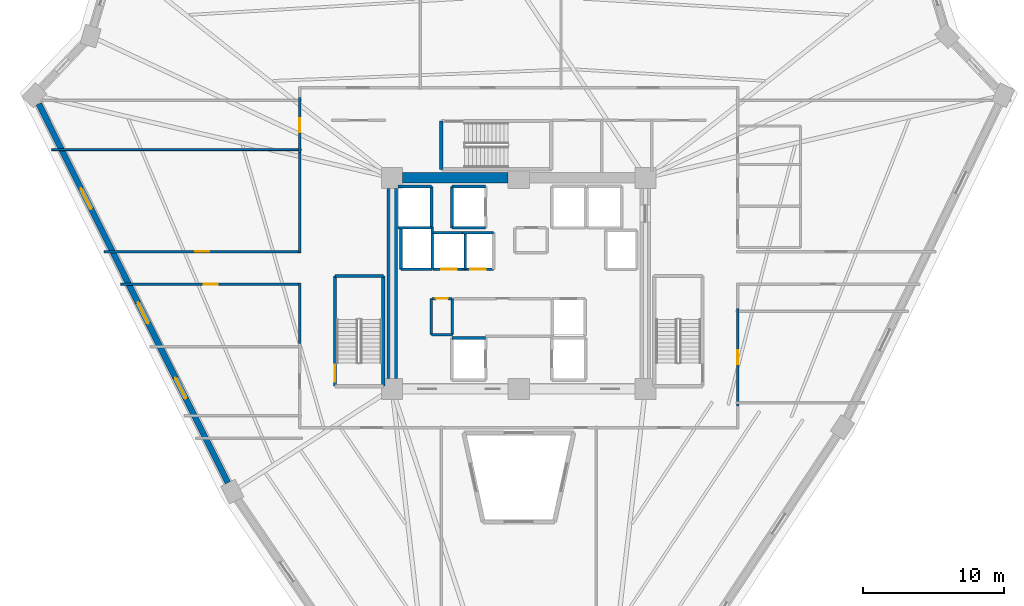
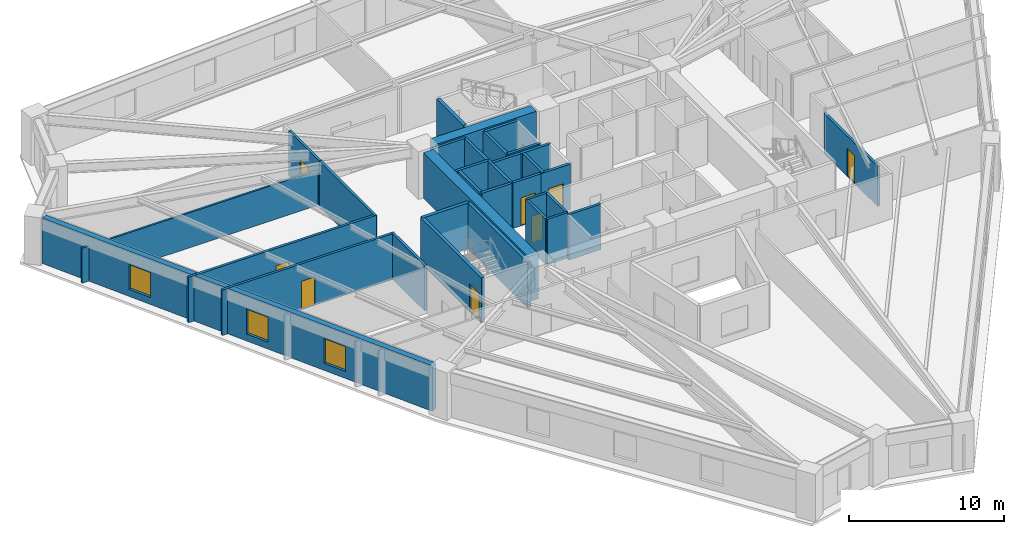
# One storey, part 4 of 8: 33 walls, 8 doors, 3 windows, 11 openings.
"""IFC4 building model written with IfcOpenShell, lengths in metres."""

from ifc_helpers import new_model, si_unit, direction, frame, frame_2d, origin, place, context, subcontext, project, spatial, rectangle, extrude, source, transform, mapped, material, layer, layer_set, type_object, element, fill, save


model = new_model("IFC4")

# Units and contexts
model_context = context("Model", 3, precision=1e-05, world=origin(), true_north=direction((0.0, 1.0)))
body_context = subcontext(model_context, "Body", "Model", "MODEL_VIEW")
ifc_project = project(units=[si_unit("LENGTHUNIT", "METRE"), si_unit("AREAUNIT", "SQUARE_METRE"), si_unit("VOLUMEUNIT", "CUBIC_METRE"), si_unit("PLANEANGLEUNIT", "RADIAN"), si_unit("MASSUNIT", "GRAM", prefix="KILO")], contexts=[model_context])

# Site, building, storey
site_placement = place(None, origin())
site = spatial("IfcSite", under=ifc_project, at=site_placement, CompositionType="ELEMENT")
building_placement = place(site_placement, origin())
building = spatial("IfcBuilding", under=site, at=building_placement, Name="Liaohun Quay Tower", CompositionType="ELEMENT")
storey_placement = place(building_placement, frame((0.0, 0.0, 177.75)))
storey = spatial("IfcBuildingStorey", under=building, at=storey_placement, Name="L46", CompositionType="ELEMENT", Elevation=177.75)

# Walls
ifc_material_1 = material(Name="Concrete C60", Category="concrete")
ifc_layer_1 = layer(ifc_material_1, 0.75, Name="Concrete C60", Category="concrete")
ifc_layer_set_1 = layer_set([ifc_layer_1], Name="Concrete C60")
wall_type_1 = type_object("IfcWallType", Name="WAL-COR-Z2", PredefinedType="SHEAR", material=ifc_layer_set_1)
wall_1_placement = place(storey_placement, frame((51.75, 61.5, 0.0), z_axis=(0.0, 0.0, 1.0), x_axis=(1.0, 0.0, 0.0)))
element("IfcWall", 1, at=wall_1_placement, inside=storey, type_object=wall_type_1, Name="L46 Central Core Shear Wall N-W", PredefinedType="SHEAR", context=body_context, shape_type="SweptSolid", body=[
    extrude(rectangle(XDim=7.5, YDim=0.75, at=frame_2d((3.75, 0.0))), origin(), (0.0, 0.0, 1.0), 3.570068359375),
])
wall_2_placement = place(storey_placement, frame((51.0, 47.25, 0.0), z_axis=(0.0, 0.0, 1.0), x_axis=(0.0, 1.0, 0.0)))
element("IfcWall", 2, at=wall_2_placement, inside=storey, type_object=wall_type_1, Name="L46 Central Core Shear Wall W", PredefinedType="SHEAR", context=body_context, shape_type="SweptSolid", body=[
    extrude(rectangle(XDim=13.5, YDim=0.75, at=frame_2d((6.75, 0.0))), origin(), (0.0, 0.0, 1.0), 3.570068359375),
])

# Wall, openings, windows
ifc_material_2 = material(Name="Precast concrete C50 insulated sandwich", Category="concrete")
ifc_layer_2 = layer(ifc_material_2, 0.419921875, Name="Precast concrete C50 insulated sandwich", Category="concrete")
ifc_layer_set_2 = layer_set([ifc_layer_2], Name="Precast concrete C50 insulated sandwich")
wall_type_2 = type_object("IfcWallType", Name="WAL-EXT-Z12", PredefinedType="SOLIDWALL", material=ifc_layer_set_2)
wall_3_placement = place(storey_placement, frame((25.887939453125, 66.7529296875, 0.0), z_axis=(0.0, 0.0, 1.0), x_axis=(0.446538896614, -0.894764222469, 0.0)))
wall_3 = element("IfcWall", 3, at=wall_3_placement, inside=storey, type_object=wall_type_2, Name="L46 Brutalist Precast Pier Wall 10", PredefinedType="SOLIDWALL", context=body_context, shape_type="SweptSolid", body=[
    extrude(rectangle(XDim=30.11181640625, YDim=0.419921875, at=frame_2d((15.055908203125, 0.0))), origin(), (0.0, 0.0, 1.0), 3.570068359375),
])
shared_shape_1 = source(origin(), body_context, "Body", "SweptSolid", [
    extrude(rectangle(XDim=1.64990234375, YDim=1.949951171875, at=frame_2d((0.824951171875, 0.97509765625))), frame((0.0, 0.219970703125, 0.0), z_axis=(0.0, -1.0, 0.0), x_axis=(1.0, 0.0, 0.0)), (0.0, 0.0, 1.0), 0.43994140625),
])
opening_1_placement = place(wall_3_placement, frame((6.702880859375, 0.0, 0.550048828125)))
opening_1 = element("IfcOpeningElement", 4, at=opening_1_placement, cuts=wall_3, Name="Opening W02", PredefinedType="OPENING", context=body_context, shape_type="MappedRepresentation", body=[
    mapped(shared_shape_1, transform((0.0, 0.0, 0.0), x_axis=(1.0, 0.0, 0.0), y_axis=(0.0, 1.0, 0.0), z_axis=(0.0, 0.0, 1.0), scale=1.0)),
])
opening_2_placement = place(wall_3_placement, frame((15.781005859375, 0.0, 0.550048828125)))
opening_2 = element("IfcOpeningElement", 5, at=opening_2_placement, cuts=wall_3, Name="Opening W02", PredefinedType="OPENING", context=body_context, shape_type="MappedRepresentation", body=[
    mapped(shared_shape_1, transform((0.0, 0.0, 0.0), x_axis=(1.0, 0.0, 0.0), y_axis=(0.0, 1.0, 0.0), z_axis=(0.0, 0.0, 1.0), scale=1.0)),
])
opening_3_placement = place(wall_3_placement, frame((21.759033203125, 0.0, 0.550048828125)))
opening_3 = element("IfcOpeningElement", 6, at=opening_3_placement, cuts=wall_3, Name="Opening W02", PredefinedType="OPENING", context=body_context, shape_type="MappedRepresentation", body=[
    mapped(shared_shape_1, transform((0.0, 0.0, 0.0), x_axis=(1.0, 0.0, 0.0), y_axis=(0.0, 1.0, 0.0), z_axis=(0.0, 0.0, 1.0), scale=1.0)),
])
ifc_material_3 = material(Name="Triple Low-E argon glazing in thermally broken aluminium", Category="aluminium")
window_type = type_object("IfcWindowType", Name="WIN-PUN-Z2", PartitioningType="DOUBLE_PANEL_VERTICAL", PredefinedType="WINDOW", material=ifc_material_3)
shared_shape_2 = source(origin(), body_context, "Body", "SweptSolid", [
    extrude(rectangle(XDim=1.64990234375, YDim=1.949951171875, at=frame_2d((0.824951171875, 0.97509765625))), frame((0.0, 0.030029296875, 0.0), z_axis=(0.0, -1.0, 0.0), x_axis=(1.0, 0.0, 0.0)), (0.0, 0.0, 1.0), 0.06005859375),
])
window_1_placement = place(opening_1_placement, origin())
window_1 = element("IfcWindow", 7, at=window_1_placement, inside=storey, type_object=window_type, Name="L46 Recessed Cold-Climate Punched Window 10-1", OverallHeight=1.949951171875, OverallWidth=1.64990234375, PartitioningType="DOUBLE_PANEL_VERTICAL", PredefinedType="WINDOW", context=body_context, shape_type="MappedRepresentation", body=[
    mapped(shared_shape_2, transform((0.0, 0.0, 0.0), x_axis=(1.0, 0.0, 0.0), y_axis=(0.0, 1.0, 0.0), z_axis=(0.0, 0.0, 1.0), scale=1.0)),
])
fill(opening_1, window_1)
window_2_placement = place(opening_2_placement, origin())
window_2 = element("IfcWindow", 8, at=window_2_placement, inside=storey, type_object=window_type, Name="L46 Recessed Cold-Climate Punched Window 10-2", OverallHeight=1.949951171875, OverallWidth=1.64990234375, PartitioningType="DOUBLE_PANEL_VERTICAL", PredefinedType="WINDOW", context=body_context, shape_type="MappedRepresentation", body=[
    mapped(shared_shape_2, transform((0.0, 0.0, 0.0), x_axis=(1.0, 0.0, 0.0), y_axis=(0.0, 1.0, 0.0), z_axis=(0.0, 0.0, 1.0), scale=1.0)),
])
fill(opening_2, window_2)
window_3_placement = place(opening_3_placement, origin())
window_3 = element("IfcWindow", 9, at=window_3_placement, inside=storey, type_object=window_type, Name="L46 Recessed Cold-Climate Punched Window 10-3", OverallHeight=1.949951171875, OverallWidth=1.64990234375, PartitioningType="DOUBLE_PANEL_VERTICAL", PredefinedType="WINDOW", context=body_context, shape_type="MappedRepresentation", body=[
    mapped(shared_shape_2, transform((0.0, 0.0, 0.0), x_axis=(1.0, 0.0, 0.0), y_axis=(0.0, 1.0, 0.0), z_axis=(0.0, 0.0, 1.0), scale=1.0)),
])
fill(opening_3, window_3)

# Wall, opening, door
ifc_material_4 = material(Name="Autoclaved aerated concrete blockwork", Category="masonry")
ifc_layer_3 = layer(ifc_material_4, 0.179931640625, Name="Autoclaved aerated concrete blockwork", Category="masonry")
ifc_layer_set_3 = layer_set([ifc_layer_3], Name="Autoclaved aerated concrete blockwork")
wall_type_3 = type_object("IfcWallType", Name="WAL-PRT-COR", PredefinedType="PARTITIONING", material=ifc_layer_set_3)
wall_4_placement = place(storey_placement, frame((53.820068359375, 52.919921875, 0.0), z_axis=(0.0, 0.0, 1.0), x_axis=(1.0, 0.0, 0.0)))
wall_4 = element("IfcWall", 10, at=wall_4_placement, inside=storey, type_object=wall_type_3, Name="L46 Interior Partition Wall 003", PredefinedType="PARTITIONING", context=body_context, shape_type="SweptSolid", body=[
    extrude(rectangle(XDim=1.429931640625, YDim=0.179931640625, at=frame_2d((0.71484375, 0.0))), origin(), (0.0, 0.0, 1.0), 3.570068359375),
])
shared_shape_3 = source(origin(), body_context, "Body", "SweptSolid", [
    extrude(rectangle(XDim=0.85009765625, YDim=2.10009765625, at=frame_2d((0.425048828125, 1.050048828125))), frame((0.0, 0.099853515625, 0.0), z_axis=(0.0, -1.0, 0.0), x_axis=(1.0, 0.0, 0.0)), (0.0, 0.0, 1.0), 0.199951171875),
])
opening_4_placement = place(wall_4_placement, frame((0.2900390625, 0.0, 0.0)))
opening_4 = element("IfcOpeningElement", 11, at=opening_4_placement, cuts=wall_4, Name="Opening AD1", PredefinedType="OPENING", context=body_context, shape_type="MappedRepresentation", body=[
    mapped(shared_shape_3, transform((0.0, 0.0, 0.0), x_axis=(1.0, 0.0, 0.0), y_axis=(0.0, 1.0, 0.0), z_axis=(0.0, 0.0, 1.0), scale=1.0)),
])
ifc_material_5 = material(Name="Steel riser inspection fire door", Category="steel")
door_type_1 = type_object("IfcDoorType", Name="DOR-SHF-850", OperationType="NOTDEFINED", PredefinedType="DOOR", material=ifc_material_5)
shared_shape_4 = source(origin(), body_context, "Body", "SweptSolid", [
    extrude(rectangle(XDim=0.85009765625, YDim=2.10009765625, at=frame_2d((0.425048828125, 1.050048828125))), frame((0.0, 0.02490234375, 0.0), z_axis=(0.0, -1.0, 0.0), x_axis=(1.0, 0.0, 0.0)), (0.0, 0.0, 1.0), 0.050048828125),
])
door_1_placement = place(opening_4_placement, origin())
door_1 = element("IfcDoor", 12, at=door_1_placement, inside=storey, type_object=door_type_1, Name="L46 Mechanical Smoke Duct Room Door", OperationType="SINGLE_SWING_RIGHT", OverallHeight=2.10009765625, OverallWidth=0.85009765625, PredefinedType="DOOR", context=body_context, shape_type="MappedRepresentation", body=[
    mapped(shared_shape_4, transform((0.0, 0.0, 0.0), x_axis=(1.0, 0.0, 0.0), y_axis=(0.0, 1.0, 0.0), z_axis=(0.0, 0.0, 1.0), scale=1.0)),
])
fill(opening_4, door_1)

wall_5_placement = place(storey_placement, frame((44.43994140625, 63.284912109375, 0.0), z_axis=(0.0, 0.0, 1.0), x_axis=(0.0, 1.0, 0.0)))
wall_5 = element("IfcWall", 13, at=wall_5_placement, inside=storey, type_object=wall_type_3, Name="L46 Interior Partition Wall 015", PredefinedType="PARTITIONING", context=body_context, shape_type="SweptSolid", body=[
    extrude(rectangle(XDim=3.93017578125, YDim=0.179931640625, at=frame_2d((1.965087890625, 0.0))), origin(), (0.0, 0.0, 1.0), 3.570068359375),
])
shared_shape_5 = source(origin(), body_context, "Body", "SweptSolid", [
    extrude(rectangle(XDim=1.0, YDim=2.199951171875, at=frame_2d((0.5, 1.10009765625))), frame((0.0, 0.099853515625, 0.0), z_axis=(0.0, -1.0, 0.0), x_axis=(1.0, 0.0, 0.0)), (0.0, 0.0, 1.0), 0.199951171875),
])
opening_5_placement = place(wall_5_placement, frame((1.465087890625, 0.0, 0.0)))
opening_5 = element("IfcOpeningElement", 14, at=opening_5_placement, cuts=wall_5, Name="Opening OD1", PredefinedType="OPENING", context=body_context, shape_type="MappedRepresentation", body=[
    mapped(shared_shape_5, transform((0.0, 0.0, 0.0), x_axis=(1.0, 0.0, 0.0), y_axis=(0.0, 1.0, 0.0), z_axis=(0.0, 0.0, 1.0), scale=1.0)),
])
ifc_material_6 = material(Name="Solid-core oak veneer timber leaf in steel frame", Category="steel")
door_type_2 = type_object("IfcDoorType", Name="DOR-OFF-1000", OperationType="NOTDEFINED", PredefinedType="DOOR", material=ifc_material_6)
shared_shape_6 = source(origin(), body_context, "Body", "SweptSolid", [
    extrude(rectangle(XDim=1.0, YDim=2.199951171875, at=frame_2d((0.5, 1.10009765625))), frame((0.0, 0.02490234375, 0.0), z_axis=(0.0, -1.0, 0.0), x_axis=(1.0, 0.0, 0.0)), (0.0, 0.0, 1.0), 0.050048828125),
])
door_2_placement = place(opening_5_placement, origin())
door_2 = element("IfcDoor", 15, at=door_2_placement, inside=storey, type_object=door_type_2, Name="L46 Digital Prototyping Laboratory 05 Door", OperationType="SINGLE_SWING_RIGHT", OverallHeight=2.199951171875, OverallWidth=1.0, PredefinedType="DOOR", context=body_context, shape_type="MappedRepresentation", body=[
    mapped(shared_shape_6, transform((0.0, 0.0, 0.0), x_axis=(1.0, 0.0, 0.0), y_axis=(0.0, 1.0, 0.0), z_axis=(0.0, 0.0, 1.0), scale=1.0)),
])
fill(opening_5, door_2)

wall_6_placement = place(storey_placement, frame((30.529052734375, 56.260009765625, 0.0), z_axis=(0.0, 0.0, 1.0), x_axis=(1.0, 0.0, 0.0)))
wall_6 = element("IfcWall", 16, at=wall_6_placement, inside=storey, type_object=wall_type_3, Name="L46 Interior Partition Wall 016", PredefinedType="PARTITIONING", context=body_context, shape_type="SweptSolid", body=[
    extrude(rectangle(XDim=13.98095703125, YDim=0.179931640625, at=frame_2d((6.990478515625, 0.0))), origin(), (0.0, 0.0, 1.0), 3.570068359375),
])
opening_6_placement = place(wall_6_placement, frame((6.489990234375, 0.0, 0.0)))
opening_6 = element("IfcOpeningElement", 17, at=opening_6_placement, cuts=wall_6, Name="Opening OD1", PredefinedType="OPENING", context=body_context, shape_type="MappedRepresentation", body=[
    mapped(shared_shape_5, transform((0.0, 0.0, 0.0), x_axis=(1.0, 0.0, 0.0), y_axis=(0.0, 1.0, 0.0), z_axis=(0.0, 0.0, 1.0), scale=1.0)),
])
door_3_placement = place(opening_6_placement, origin())
door_3 = element("IfcDoor", 18, at=door_3_placement, inside=storey, type_object=door_type_2, Name="L46 Staff Tea Kitchen and Pantry 06 Door", OperationType="SINGLE_SWING_LEFT", OverallHeight=2.199951171875, OverallWidth=1.0, PredefinedType="DOOR", context=body_context, shape_type="MappedRepresentation", body=[
    mapped(shared_shape_6, transform((0.0, 0.0, 0.0), x_axis=(1.0, 0.0, 0.0), y_axis=(0.0, 1.0, 0.0), z_axis=(0.0, 0.0, 1.0), scale=1.0)),
])
fill(opening_6, door_3)

wall_7_placement = place(storey_placement, frame((44.510009765625, 53.93994140625, 0.0), z_axis=(0.0, 0.0, 1.0), x_axis=(-1.0, 0.0, 0.0)))
wall_7 = element("IfcWall", 19, at=wall_7_placement, inside=storey, type_object=wall_type_3, Name="L46 Interior Partition Wall 017", PredefinedType="PARTITIONING", context=body_context, shape_type="SweptSolid", body=[
    extrude(rectangle(XDim=12.822998046875, YDim=0.179931640625, at=frame_2d((6.41162109375, 0.0))), origin(), (0.0, 0.0, 1.0), 3.570068359375),
])
opening_7_placement = place(wall_7_placement, frame((5.910888671875, 0.0, 0.0)))
opening_7 = element("IfcOpeningElement", 20, at=opening_7_placement, cuts=wall_7, Name="Opening OD1", PredefinedType="OPENING", context=body_context, shape_type="MappedRepresentation", body=[
    mapped(shared_shape_5, transform((0.0, 0.0, 0.0), x_axis=(1.0, 0.0, 0.0), y_axis=(0.0, 1.0, 0.0), z_axis=(0.0, 0.0, 1.0), scale=1.0)),
])
door_4_placement = place(opening_7_placement, origin())
door_4 = element("IfcDoor", 21, at=door_4_placement, inside=storey, type_object=door_type_2, Name="L46 Staff Daycare Nursery 07 Door", OperationType="SINGLE_SWING_RIGHT", OverallHeight=2.199951171875, OverallWidth=1.0, PredefinedType="DOOR", context=body_context, shape_type="MappedRepresentation", body=[
    mapped(shared_shape_6, transform((0.0, 0.0, 0.0), x_axis=(1.0, 0.0, 0.0), y_axis=(0.0, 1.0, 0.0), z_axis=(0.0, 0.0, 1.0), scale=1.0)),
])
fill(opening_7, door_4)

wall_8_placement = place(storey_placement, frame((75.56005859375, 52.215087890625, 0.0), z_axis=(0.0, 0.0, 1.0), x_axis=(0.0, -1.0, 0.0)))
wall_8 = element("IfcWall", 22, at=wall_8_placement, inside=storey, type_object=wall_type_3, Name="L46 Interior Partition Wall 022", PredefinedType="PARTITIONING", context=body_context, shape_type="SweptSolid", body=[
    extrude(rectangle(XDim=6.93017578125, YDim=0.179931640625, at=frame_2d((3.465087890625, 0.0))), origin(), (0.0, 0.0, 1.0), 3.155029296875),
])
opening_8_placement = place(wall_8_placement, frame((2.965087890625, 0.0, 0.0)))
opening_8 = element("IfcOpeningElement", 23, at=opening_8_placement, cuts=wall_8, Name="Opening OD1", PredefinedType="OPENING", context=body_context, shape_type="MappedRepresentation", body=[
    mapped(shared_shape_5, transform((0.0, 0.0, 0.0), x_axis=(1.0, 0.0, 0.0), y_axis=(0.0, 1.0, 0.0), z_axis=(0.0, 0.0, 1.0), scale=1.0)),
])
door_5_placement = place(opening_8_placement, origin())
door_5 = element("IfcDoor", 24, at=door_5_placement, inside=storey, type_object=door_type_2, Name="L46 Client Reception Office 12 Door", OperationType="SINGLE_SWING_LEFT", OverallHeight=2.199951171875, OverallWidth=1.0, PredefinedType="DOOR", context=body_context, shape_type="MappedRepresentation", body=[
    mapped(shared_shape_6, transform((0.0, 0.0, 0.0), x_axis=(1.0, 0.0, 0.0), y_axis=(0.0, 1.0, 0.0), z_axis=(0.0, 0.0, 1.0), scale=1.0)),
])
fill(opening_8, door_5)

# Walls
wall_9_placement = place(storey_placement, frame((53.7900390625, 50.35009765625, 0.0), z_axis=(0.0, 0.0, 1.0), x_axis=(0.0, 1.0, 0.0)))
element("IfcWall", 25, at=wall_9_placement, inside=storey, type_object=wall_type_3, Name="L46 Interior Partition Wall 027", PredefinedType="PARTITIONING", context=body_context, shape_type="SweptSolid", body=[
    extrude(rectangle(XDim=2.56982421875, YDim=0.179931640625, at=frame_2d((1.284912109375, 0.0))), origin(), (0.0, 0.0, 1.0), 3.570068359375),
])
wall_10_placement = place(storey_placement, frame((53.7900390625, 50.35009765625, 0.0), z_axis=(0.0, 0.0, 1.0), x_axis=(1.0, 0.0, 0.0)))
element("IfcWall", 26, at=wall_10_placement, inside=storey, type_object=wall_type_3, Name="L46 Interior Partition Wall 028", PredefinedType="PARTITIONING", context=body_context, shape_type="SweptSolid", body=[
    extrude(rectangle(XDim=1.489990234375, YDim=0.179931640625, at=frame_2d((0.7451171875, 0.0))), origin(), (0.0, 0.0, 1.0), 3.570068359375),
])
wall_11_placement = place(storey_placement, frame((55.280029296875, 50.35009765625, 0.0), z_axis=(0.0, 0.0, 1.0), x_axis=(0.0, 1.0, 0.0)))
element("IfcWall", 27, at=wall_11_placement, inside=storey, type_object=wall_type_3, Name="L46 Interior Partition Wall 029", PredefinedType="PARTITIONING", context=body_context, shape_type="SweptSolid", body=[
    extrude(rectangle(XDim=2.56982421875, YDim=0.179931640625, at=frame_2d((1.284912109375, 0.0))), origin(), (0.0, 0.0, 1.0), 3.570068359375),
])
wall_12_placement = place(storey_placement, frame((44.43994140625, 56.18994140625, 0.0), z_axis=(0.0, 0.0, 1.0), x_axis=(0.0, 1.0, 0.0)))
element("IfcWall", 28, at=wall_12_placement, inside=storey, type_object=wall_type_3, Name="L46 Interior Partition Wall 040", PredefinedType="PARTITIONING", context=body_context, shape_type="SweptSolid", body=[
    extrude(rectangle(XDim=7.094970703125, YDim=0.179931640625, at=frame_2d((3.54736328125, 0.0))), origin(), (0.0, 0.0, 1.0), 3.570068359375),
])
wall_13_placement = place(storey_placement, frame((44.43994140625, 49.715087890625, 0.0), z_axis=(0.0, 0.0, 1.0), x_axis=(0.0, 1.0, 0.0)))
element("IfcWall", 29, at=wall_13_placement, inside=storey, type_object=wall_type_3, Name="L46 Interior Partition Wall 041", PredefinedType="PARTITIONING", context=body_context, shape_type="SweptSolid", body=[
    extrude(rectangle(XDim=4.294921875, YDim=0.179931640625, at=frame_2d((2.1474609375, 0.0))), origin(), (0.0, 0.0, 1.0), 3.570068359375),
])
ifc_material_7 = material(Name="Gypsum board on twin steel studs", Category="steel")
ifc_layer_4 = layer(ifc_material_7, 0.139892578125, Name="Gypsum board on twin steel studs", Category="steel")
ifc_layer_set_4 = layer_set([ifc_layer_4], Name="Gypsum board on twin steel studs")
wall_type_4 = type_object("IfcWallType", Name="WAL-PRT-OFF", PredefinedType="PARTITIONING", material=ifc_layer_set_4)
wall_14_placement = place(storey_placement, frame((44.5400390625, 63.5, 0.0), z_axis=(0.0, 0.0, 1.0), x_axis=(-1.0, 0.0, 0.0)))
element("IfcWall", 30, at=wall_14_placement, inside=storey, type_object=wall_type_4, Name="L46 Interior Partition Wall 048", PredefinedType="PARTITIONING", context=body_context, shape_type="SweptSolid", body=[
    extrude(rectangle(XDim=17.733154296875, YDim=0.139892578125, at=frame_2d((8.86669921875, 0.0))), origin(), (0.0, 0.0, 1.0), 2.7548828125),
])
ifc_material_8 = material(Name="Concrete C50", Category="concrete")
ifc_layer_5 = layer(ifc_material_8, 0.239990234375, Name="Concrete C50", Category="concrete")
ifc_layer_set_5 = layer_set([ifc_layer_5], Name="Concrete C50")
wall_type_5 = type_object("IfcWallType", Name="WAL-SHF-200", PredefinedType="SOLIDWALL", material=ifc_layer_set_5)
wall_15_placement = place(storey_placement, frame((50.3798828125, 46.699951171875, 0.0), z_axis=(0.0, 0.0, 1.0), x_axis=(0.0, 1.0, 0.0)))
element("IfcWall", 31, at=wall_15_placement, inside=storey, type_object=wall_type_5, Name="L46 Stairwell ST-1 Structural Core Wall E", PredefinedType="SOLIDWALL", context=body_context, shape_type="SweptSolid", body=[
    extrude(rectangle(XDim=7.820068359375, YDim=0.239990234375, at=frame_2d((3.91015625, 0.0))), origin(), (0.0, 0.0, 1.0), 3.570068359375),
])
wall_16_placement = place(storey_placement, frame((50.3798828125, 54.52001953125, 0.0), z_axis=(0.0, 0.0, 1.0), x_axis=(-1.0, 0.0, 0.0)))
element("IfcWall", 32, at=wall_16_placement, inside=storey, type_object=wall_type_5, Name="L46 Stairwell ST-1 Structural Core Wall N", PredefinedType="SOLIDWALL", context=body_context, shape_type="SweptSolid", body=[
    extrude(rectangle(XDim=3.43994140625, YDim=0.239990234375, at=frame_2d((1.719970703125, 0.0))), origin(), (0.0, 0.0, 1.0), 3.570068359375),
])

# Wall, opening, door
wall_17_placement = place(storey_placement, frame((46.93994140625, 54.52001953125, 0.0), z_axis=(0.0, 0.0, 1.0), x_axis=(0.0, -1.0, 0.0)))
wall_17 = element("IfcWall", 33, at=wall_17_placement, inside=storey, type_object=wall_type_5, Name="L46 Stairwell ST-1 Structural Core Wall W", PredefinedType="SOLIDWALL", context=body_context, shape_type="SweptSolid", body=[
    extrude(rectangle(XDim=7.820068359375, YDim=0.239990234375, at=frame_2d((3.91015625, 0.0))), origin(), (0.0, 0.0, 1.0), 3.570068359375),
])
shared_shape_7 = source(origin(), body_context, "Body", "SweptSolid", [
    extrude(rectangle(XDim=1.199951171875, YDim=2.199951171875, at=frame_2d((0.60009765625, 1.10009765625))), frame((0.0, 0.1298828125, 0.0), z_axis=(0.0, -1.0, 0.0), x_axis=(1.0, 0.0, 0.0)), (0.0, 0.0, 1.0), 0.260009765625),
])
opening_9_placement = place(wall_17_placement, frame((6.300048828125, 0.0, 0.0)))
opening_9 = element("IfcOpeningElement", 34, at=opening_9_placement, cuts=wall_17, Name="Opening SD1", PredefinedType="OPENING", context=body_context, shape_type="MappedRepresentation", body=[
    mapped(shared_shape_7, transform((0.0, 0.0, 0.0), x_axis=(1.0, 0.0, 0.0), y_axis=(0.0, 1.0, 0.0), z_axis=(0.0, 0.0, 1.0), scale=1.0)),
])
ifc_material_9 = material(Name="Galvanised steel fire door", Category="steel")
door_type_3 = type_object("IfcDoorType", Name="DOR-STR-1200", OperationType="NOTDEFINED", PredefinedType="DOOR", material=ifc_material_9)
shared_shape_8 = source(origin(), body_context, "Body", "SweptSolid", [
    extrude(rectangle(XDim=1.199951171875, YDim=2.199951171875, at=frame_2d((0.60009765625, 1.10009765625))), frame((0.0, 0.02490234375, 0.0), z_axis=(0.0, -1.0, 0.0), x_axis=(1.0, 0.0, 0.0)), (0.0, 0.0, 1.0), 0.050048828125),
])
door_6_placement = place(opening_9_placement, origin())
door_6 = element("IfcDoor", 35, at=door_6_placement, inside=storey, type_object=door_type_3, Name="L46 Protected Stair ST-1 Fire Door", OperationType="SINGLE_SWING_LEFT", OverallHeight=2.199951171875, OverallWidth=1.199951171875, PredefinedType="DOOR", context=body_context, shape_type="MappedRepresentation", body=[
    mapped(shared_shape_8, transform((0.0, 0.0, 0.0), x_axis=(1.0, 0.0, 0.0), y_axis=(0.0, 1.0, 0.0), z_axis=(0.0, 0.0, 1.0), scale=1.0)),
])
fill(opening_9, door_6)

# Walls
wall_18_placement = place(storey_placement, frame((54.5, 65.5400390625, 0.0), z_axis=(0.0, 0.0, 1.0), x_axis=(0.0, -1.0, 0.0)))
element("IfcWall", 36, at=wall_18_placement, inside=storey, type_object=wall_type_5, Name="L46 Stairwell ST-3 Structural Core Wall W", PredefinedType="SOLIDWALL", context=body_context, shape_type="SweptSolid", body=[
    extrude(rectangle(XDim=3.43994140625, YDim=0.239990234375, at=frame_2d((1.719970703125, 0.0))), origin(), (0.0, 0.0, 1.0), 3.570068359375),
])
for number, where, z_axis, x_axis, name in (
    (37, (57.64990234375, 50.1201171875, 0.0), (0.0, 0.0, 1.0), (-1.0, 0.0, 0.0), "L46 Lift FF-01 Hoistway Wall N"),
    (38, (55.25, 57.949951171875, 0.0), (0.0, 0.0, 1.0), (1.0, 0.0, 0.0), "L46 Lift FF-03 Hoistway Wall S"),
    (39, (57.64990234375, 60.8798828125, 0.0), (0.0, 0.0, 1.0), (-1.0, 0.0, 0.0), "L46 Lift FF-03 Hoistway Wall N"),
):
    element("IfcWall", number, at=place(storey_placement, frame(where, z_axis=z_axis, x_axis=x_axis)), inside=storey, type_object=wall_type_5, Name=name, PredefinedType="SOLIDWALL", context=body_context, shape_type="SweptSolid", body=[
        extrude(rectangle(XDim=2.39990234375, YDim=0.199951171875, at=frame_2d((1.199951171875, 0.0))), origin(), (0.0, 0.0, 1.0), 3.570068359375),
    ])
wall_19_placement = place(storey_placement, frame((55.25, 60.8798828125, 0.0), z_axis=(0.0, 0.0, 1.0), x_axis=(0.0, -1.0, 0.0)))
element("IfcWall", 40, at=wall_19_placement, inside=storey, type_object=wall_type_5, Name="L46 Lift FF-03 Hoistway Wall W", PredefinedType="SOLIDWALL", context=body_context, shape_type="SweptSolid", body=[
    extrude(rectangle(XDim=2.929931640625, YDim=0.199951171875, at=frame_2d((1.46484375, 0.0))), origin(), (0.0, 0.0, 1.0), 3.570068359375),
])
wall_20_placement = place(storey_placement, frame((51.39990234375, 57.949951171875, 0.0), z_axis=(0.0, 0.0, 1.0), x_axis=(1.0, 0.0, 0.0)))
element("IfcWall", 41, at=wall_20_placement, inside=storey, type_object=wall_type_5, Name="L46 Lift SH-01 Hoistway Wall S", PredefinedType="SOLIDWALL", context=body_context, shape_type="SweptSolid", body=[
    extrude(rectangle(XDim=2.400146484375, YDim=0.199951171875, at=frame_2d((1.2001953125, 0.0))), origin(), (0.0, 0.0, 1.0), 3.570068359375),
])
wall_21_placement = place(storey_placement, frame((53.800048828125, 57.949951171875, 0.0), z_axis=(0.0, 0.0, 1.0), x_axis=(0.0, 1.0, 0.0)))
element("IfcWall", 42, at=wall_21_placement, inside=storey, type_object=wall_type_5, Name="L46 Lift SH-01 Hoistway Wall E", PredefinedType="SOLIDWALL", context=body_context, shape_type="SweptSolid", body=[
    extrude(rectangle(XDim=2.929931640625, YDim=0.199951171875, at=frame_2d((1.46484375, 0.0))), origin(), (0.0, 0.0, 1.0), 3.570068359375),
])
wall_22_placement = place(storey_placement, frame((53.800048828125, 60.8798828125, 0.0), z_axis=(0.0, 0.0, 1.0), x_axis=(-1.0, 0.0, 0.0)))
element("IfcWall", 43, at=wall_22_placement, inside=storey, type_object=wall_type_5, Name="L46 Lift SH-01 Hoistway Wall N", PredefinedType="SOLIDWALL", context=body_context, shape_type="SweptSolid", body=[
    extrude(rectangle(XDim=2.400146484375, YDim=0.199951171875, at=frame_2d((1.2001953125, 0.0))), origin(), (0.0, 0.0, 1.0), 3.570068359375),
])
wall_23_placement = place(storey_placement, frame((51.6201171875, 55.0, 0.0), z_axis=(0.0, 0.0, 1.0), x_axis=(1.0, 0.0, 0.0)))
element("IfcWall", 44, at=wall_23_placement, inside=storey, type_object=wall_type_5, Name="L46 Lift SH-02 Hoistway Wall S", PredefinedType="SOLIDWALL", context=body_context, shape_type="SweptSolid", body=[
    extrude(rectangle(XDim=2.22998046875, YDim=0.199951171875, at=frame_2d((1.114990234375, 0.0))), origin(), (0.0, 0.0, 1.0), 3.570068359375),
])
for number, where, z_axis, x_axis, name in (
    (45, (53.85009765625, 55.0, 0.0), (0.0, 0.0, 1.0), (0.0, 1.0, 0.0), "L46 Lift SH-02 Hoistway Wall E"),
    (46, (51.6201171875, 58.0, 0.0), (0.0, 0.0, 1.0), (0.0, -1.0, 0.0), "L46 Lift SH-02 Hoistway Wall W"),
):
    element("IfcWall", number, at=place(storey_placement, frame(where, z_axis=z_axis, x_axis=x_axis)), inside=storey, type_object=wall_type_5, Name=name, PredefinedType="SOLIDWALL", context=body_context, shape_type="SweptSolid", body=[
        extrude(rectangle(XDim=3.0, YDim=0.199951171875, at=frame_2d((1.5, 0.0))), origin(), (0.0, 0.0, 1.0), 3.570068359375),
    ])

# Wall, opening, door
wall_24_placement = place(storey_placement, frame((53.89990234375, 55.0, 0.0), z_axis=(0.0, 0.0, 1.0), x_axis=(1.0, 0.0, 0.0)))
wall_24 = element("IfcWall", 47, at=wall_24_placement, inside=storey, type_object=wall_type_5, Name="L46 Lift PL-2B Hoistway Wall S", PredefinedType="SOLIDWALL", context=body_context, shape_type="SweptSolid", body=[
    extrude(rectangle(XDim=2.300048828125, YDim=0.199951171875, at=frame_2d((1.14990234375, 0.0))), origin(), (0.0, 0.0, 1.0), 3.570068359375),
])
shared_shape_9 = source(origin(), body_context, "Body", "SweptSolid", [
    extrude(rectangle(XDim=1.10009765625, YDim=2.199951171875, at=frame_2d((0.550048828125, 1.10009765625))), frame((0.0, 0.10986328125, 0.0), z_axis=(0.0, -1.0, 0.0), x_axis=(1.0, 0.0, 0.0)), (0.0, 0.0, 1.0), 0.219970703125),
])
opening_10_placement = place(wall_24_placement, frame((0.60009765625, 0.0, 0.0)))
opening_10 = element("IfcOpeningElement", 48, at=opening_10_placement, cuts=wall_24, Name="Opening LD1", PredefinedType="OPENING", context=body_context, shape_type="MappedRepresentation", body=[
    mapped(shared_shape_9, transform((0.0, 0.0, 0.0), x_axis=(1.0, 0.0, 0.0), y_axis=(0.0, 1.0, 0.0), z_axis=(0.0, 0.0, 1.0), scale=1.0)),
])
ifc_material_10 = material(Name="Brushed stainless steel landing door", Category="steel")
door_type_4 = type_object("IfcDoorType", Name="DOR-LFT-1100", OperationType="SLIDING_TO_LEFT", PredefinedType="DOOR", material=ifc_material_10)
shared_shape_10 = source(origin(), body_context, "Body", "SweptSolid", [
    extrude(rectangle(XDim=1.10009765625, YDim=2.199951171875, at=frame_2d((0.550048828125, 1.10009765625))), frame((0.0, 0.02490234375, 0.0), z_axis=(0.0, -1.0, 0.0), x_axis=(1.0, 0.0, 0.0)), (0.0, 0.0, 1.0), 0.050048828125),
])
door_7_placement = place(opening_10_placement, origin())
door_7 = element("IfcDoor", 49, at=door_7_placement, inside=storey, type_object=door_type_4, Name="L46 Lift PL-2B Sliding Landing Door", OperationType="SLIDING_TO_LEFT", OverallHeight=2.199951171875, OverallWidth=1.10009765625, PredefinedType="DOOR", context=body_context, shape_type="MappedRepresentation", body=[
    mapped(shared_shape_10, transform((0.0, 0.0, 0.0), x_axis=(1.0, 0.0, 0.0), y_axis=(0.0, 1.0, 0.0), z_axis=(0.0, 0.0, 1.0), scale=1.0)),
])
fill(opening_10, door_7)

# Walls
wall_25_placement = place(storey_placement, frame((56.199951171875, 55.0, 0.0), z_axis=(0.0, 0.0, 1.0), x_axis=(0.0, 1.0, 0.0)))
element("IfcWall", 50, at=wall_25_placement, inside=storey, type_object=wall_type_5, Name="L46 Lift PL-2B Hoistway Wall E", PredefinedType="SOLIDWALL", context=body_context, shape_type="SweptSolid", body=[
    extrude(rectangle(XDim=2.60009765625, YDim=0.199951171875, at=frame_2d((1.300048828125, 0.0))), origin(), (0.0, 0.0, 1.0), 3.570068359375),
])
wall_26_placement = place(storey_placement, frame((56.199951171875, 57.60009765625, 0.0), z_axis=(0.0, 0.0, 1.0), x_axis=(-1.0, 0.0, 0.0)))
element("IfcWall", 51, at=wall_26_placement, inside=storey, type_object=wall_type_5, Name="L46 Lift PL-2B Hoistway Wall N", PredefinedType="SOLIDWALL", context=body_context, shape_type="SweptSolid", body=[
    extrude(rectangle(XDim=2.300048828125, YDim=0.199951171875, at=frame_2d((1.14990234375, 0.0))), origin(), (0.0, 0.0, 1.0), 3.570068359375),
])

# Wall, opening, door
wall_27_placement = place(storey_placement, frame((56.0, 55.0, 0.0), z_axis=(0.0, 0.0, 1.0), x_axis=(1.0, 0.0, 0.0)))
wall_27 = element("IfcWall", 52, at=wall_27_placement, inside=storey, type_object=wall_type_5, Name="L46 Lift PL-2C Hoistway Wall S", PredefinedType="SOLIDWALL", context=body_context, shape_type="SweptSolid", body=[
    extrude(rectangle(XDim=2.199951171875, YDim=0.199951171875, at=frame_2d((1.10009765625, 0.0))), origin(), (0.0, 0.0, 1.0), 3.570068359375),
])
opening_11_placement = place(wall_27_placement, frame((0.550048828125, 0.0, 0.0)))
opening_11 = element("IfcOpeningElement", 53, at=opening_11_placement, cuts=wall_27, Name="Opening LD1", PredefinedType="OPENING", context=body_context, shape_type="MappedRepresentation", body=[
    mapped(shared_shape_9, transform((0.0, 0.0, 0.0), x_axis=(1.0, 0.0, 0.0), y_axis=(0.0, 1.0, 0.0), z_axis=(0.0, 0.0, 1.0), scale=1.0)),
])
door_8_placement = place(opening_11_placement, origin())
door_8 = element("IfcDoor", 54, at=door_8_placement, inside=storey, type_object=door_type_4, Name="L46 Lift PL-2C Sliding Landing Door", OperationType="SLIDING_TO_LEFT", OverallHeight=2.199951171875, OverallWidth=1.10009765625, PredefinedType="DOOR", context=body_context, shape_type="MappedRepresentation", body=[
    mapped(shared_shape_10, transform((0.0, 0.0, 0.0), x_axis=(1.0, 0.0, 0.0), y_axis=(0.0, 1.0, 0.0), z_axis=(0.0, 0.0, 1.0), scale=1.0)),
])
fill(opening_11, door_8)

# Wall
wall_28_placement = place(storey_placement, frame((58.199951171875, 57.60009765625, 0.0), z_axis=(0.0, 0.0, 1.0), x_axis=(-1.0, 0.0, 0.0)))
element("IfcWall", 55, at=wall_28_placement, inside=storey, type_object=wall_type_5, Name="L46 Lift PL-2C Hoistway Wall N", PredefinedType="SOLIDWALL", context=body_context, shape_type="SweptSolid", body=[
    extrude(rectangle(XDim=2.199951171875, YDim=0.199951171875, at=frame_2d((1.10009765625, 0.0))), origin(), (0.0, 0.0, 1.0), 3.570068359375),
])

save(model, "model.ifc")
